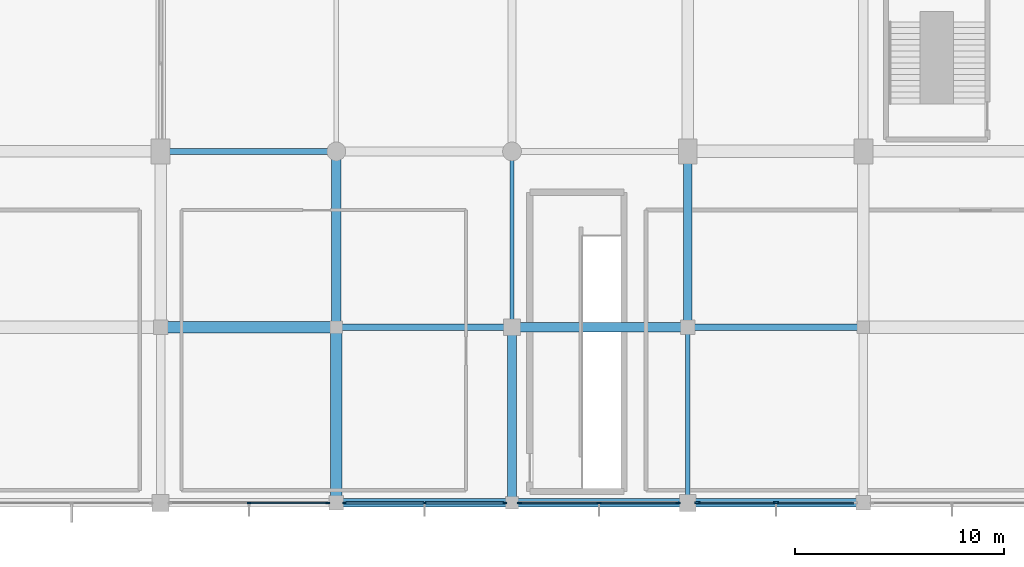
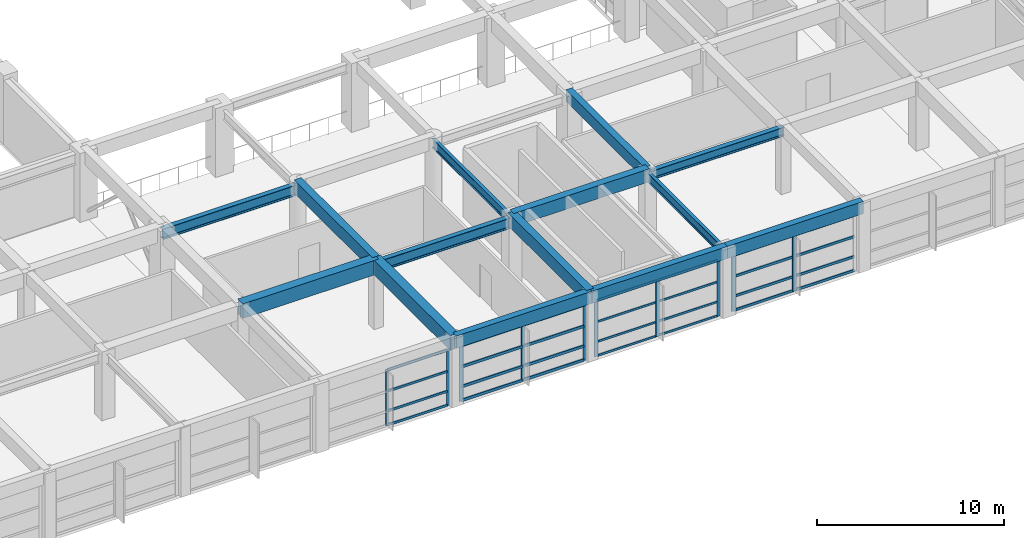
# One storey, part 16 of 56: 38 members, 14 beams, 4 elements without a shape of their own.
"""IFC4 building model written with IfcOpenShell, lengths in metres."""

from ifc_helpers import new_model, si_unit, direction, frame, origin, origin_2d, place, context, subcontext, project, spatial, rectangle, i_section, extrude, material, material_profile, profile_set, type_object, element, aggregate, save


model = new_model("IFC4")

# Units and contexts
model_context = context("Model", 3, precision=1e-05, world=origin(), true_north=direction((0.0, 1.0)))
body_context = subcontext(model_context, "Body", "Model", "MODEL_VIEW")
ifc_project = project(units=[si_unit("LENGTHUNIT", "METRE"), si_unit("AREAUNIT", "SQUARE_METRE"), si_unit("VOLUMEUNIT", "CUBIC_METRE"), si_unit("PLANEANGLEUNIT", "RADIAN"), si_unit("MASSUNIT", "GRAM", prefix="KILO")], contexts=[model_context])

# Site, building, storey
site_placement = place(None, origin())
site = spatial("IfcSite", under=ifc_project, at=site_placement, CompositionType="ELEMENT")
building_placement = place(site_placement, origin())
building = spatial("IfcBuilding", under=site, at=building_placement, Name="Xuanlan Plaza Opera House", CompositionType="ELEMENT")
storey_placement = place(building_placement, frame((0.0, 0.0, 18.89990234375)))
storey = spatial("IfcBuildingStorey", under=building, at=storey_placement, Name="L04", CompositionType="ELEMENT", Elevation=18.89990234375)

# Curtain wall, members
ifc_material_1 = material(Name="Anodised Aluminium 6063-T6 and Low-E Glass", Category="aluminium")
curtain_wall_type_1 = type_object("IfcCurtainWallType", Name="ENV-CW-CW-05", PredefinedType="USERDEFINED", material=ifc_material_1)
curtain_wall_1_placement = place(storey_placement, origin())
curtain_wall_1 = element("IfcCurtainWall", 1, at=curtain_wall_1_placement, inside=storey, type_object=curtain_wall_type_1, Name="Acoustic Glazed Wall L04-006", ObjectType="ACOUSTIC GLAZED WALL", PredefinedType="USERDEFINED")
ifc_material_2 = material(Name="Anodised Aluminium 6063-T6", Category="aluminium")
ifc_material_profile_1 = material_profile(ifc_material_2, rectangle(XDim=0.070068359375, YDim=0.179931640625, at=origin_2d()), Name="ALU-M 70x180")
ifc_profile_set_1 = profile_set([ifc_material_profile_1], Name="Anodised Aluminium 6063-T6")
member_type_1 = type_object("IfcMemberType", Name="ENV-CWM-02", PredefinedType="MULLION", material=ifc_profile_set_1)
member_1_placement = place(storey_placement, frame((71.425048828125, 16.800048828125, 0.0), z_axis=(0.0, 0.0, 1.0), x_axis=(0.0, 1.0, 0.0)))
member_1 = element("IfcMember", 2, at=member_1_placement, type_object=member_type_1, Name="CW-05 mullion 2", PredefinedType="MULLION", context=body_context, shape_type="SweptSolid", body=[
    extrude(rectangle(XDim=0.070068359375, YDim=0.179931640625, at=origin_2d()), origin(), (0.0, 0.0, 1.0), 3.68017578125),
])
member_2_placement = place(storey_placement, frame((75.195068359375, 16.800048828125, 0.0), z_axis=(0.0, 0.0, 1.0), x_axis=(0.0, 1.0, 0.0)))
member_2 = element("IfcMember", 3, at=member_2_placement, type_object=member_type_1, Name="CW-05 mullion 3", PredefinedType="MULLION", context=body_context, shape_type="SweptSolid", body=[
    extrude(rectangle(XDim=0.070068359375, YDim=0.179931640625, at=origin_2d()), origin(), (0.0, 0.0, 1.0), 3.68017578125),
])

curtain_wall_type_2 = type_object("IfcCurtainWallType", Name="ENV-CW-CW-06", PredefinedType="USERDEFINED", material=ifc_material_1)
curtain_wall_2_placement = place(storey_placement, origin())
curtain_wall_2 = element("IfcCurtainWall", 4, at=curtain_wall_2_placement, inside=storey, type_object=curtain_wall_type_2, Name="Acoustic Glazed Wall L04-007", ObjectType="ACOUSTIC GLAZED WALL", PredefinedType="USERDEFINED")
ifc_material_profile_2 = material_profile(ifc_material_2, rectangle(XDim=0.074951171875, YDim=0.199951171875, at=origin_2d()), Name="ALU-M 75x200")
ifc_profile_set_2 = profile_set([ifc_material_profile_2], Name="Anodised Aluminium 6063-T6")
member_type_2 = type_object("IfcMemberType", Name="ENV-CWM-03", PredefinedType="MULLION", material=ifc_profile_set_2)
member_3_placement = place(storey_placement, frame((76.007568359375, 16.800048828125, 0.0), z_axis=(0.0, 0.0, 1.0), x_axis=(0.0, 1.0, 0.0)))
member_3 = element("IfcMember", 5, at=member_3_placement, type_object=member_type_2, Name="CW-06 mullion 1", PredefinedType="MULLION", context=body_context, shape_type="SweptSolid", body=[
    extrude(rectangle(XDim=0.074951171875, YDim=0.199951171875, at=origin_2d()), origin(), (0.0, 0.0, 1.0), 3.68017578125),
])
member_4_placement = place(storey_placement, frame((79.824951171875, 16.800048828125, 0.0), z_axis=(0.0, 0.0, 1.0), x_axis=(0.0, 1.0, 0.0)))
member_4 = element("IfcMember", 6, at=member_4_placement, type_object=member_type_2, Name="CW-06 mullion 2", PredefinedType="MULLION", context=body_context, shape_type="SweptSolid", body=[
    extrude(rectangle(XDim=0.074951171875, YDim=0.199951171875, at=origin_2d()), origin(), (0.0, 0.0, 1.0), 3.68017578125),
])
member_5_placement = place(storey_placement, frame((83.642578125, 16.800048828125, 0.0), z_axis=(0.0, 0.0, 1.0), x_axis=(0.0, 1.0, 0.0)))
member_5 = element("IfcMember", 7, at=member_5_placement, type_object=member_type_2, Name="CW-06 mullion 3", PredefinedType="MULLION", context=body_context, shape_type="SweptSolid", body=[
    extrude(rectangle(XDim=0.074951171875, YDim=0.199951171875, at=origin_2d()), origin(), (0.0, 0.0, 1.0), 3.68017578125),
])

curtain_wall_3_placement = place(storey_placement, origin())
curtain_wall_3 = element("IfcCurtainWall", 8, at=curtain_wall_3_placement, inside=storey, type_object=curtain_wall_type_1, Name="Acoustic Glazed Wall L04-008", ObjectType="ACOUSTIC GLAZED WALL", PredefinedType="USERDEFINED")
ifc_material_profile_3 = material_profile(ifc_material_2, rectangle(XDim=0.080078125, YDim=0.219970703125, at=origin_2d()), Name="ALU-M 80x220")
ifc_profile_set_3 = profile_set([ifc_material_profile_3], Name="Anodised Aluminium 6063-T6")
member_type_3 = type_object("IfcMemberType", Name="ENV-CWM-04", PredefinedType="MULLION", material=ifc_profile_set_3)
member_6_placement = place(storey_placement, frame((84.360107421875, 16.800048828125, 0.0), z_axis=(0.0, 0.0, 1.0), x_axis=(0.0, 1.0, 0.0)))
member_6 = element("IfcMember", 9, at=member_6_placement, type_object=member_type_3, Name="CW-05 mullion 1", PredefinedType="MULLION", context=body_context, shape_type="SweptSolid", body=[
    extrude(rectangle(XDim=0.080078125, YDim=0.219970703125, at=origin_2d()), origin(), (0.0, 0.0, 1.0), 3.68017578125),
])
member_7_placement = place(storey_placement, frame((88.14990234375, 16.800048828125, 0.0), z_axis=(0.0, 0.0, 1.0), x_axis=(0.0, 1.0, 0.0)))
member_7 = element("IfcMember", 10, at=member_7_placement, type_object=member_type_3, Name="CW-05 mullion 2", PredefinedType="MULLION", context=body_context, shape_type="SweptSolid", body=[
    extrude(rectangle(XDim=0.080078125, YDim=0.219970703125, at=origin_2d()), origin(), (0.0, 0.0, 1.0), 3.68017578125),
])
member_8_placement = place(storey_placement, frame((91.93994140625, 16.800048828125, 0.0), z_axis=(0.0, 0.0, 1.0), x_axis=(0.0, 1.0, 0.0)))
member_8 = element("IfcMember", 11, at=member_8_placement, type_object=member_type_3, Name="CW-05 mullion 3", PredefinedType="MULLION", context=body_context, shape_type="SweptSolid", body=[
    extrude(rectangle(XDim=0.080078125, YDim=0.219970703125, at=origin_2d()), origin(), (0.0, 0.0, 1.0), 3.68017578125),
])

curtain_wall_4_placement = place(storey_placement, origin())
curtain_wall_4 = element("IfcCurtainWall", 12, at=curtain_wall_4_placement, inside=storey, type_object=curtain_wall_type_2, Name="Acoustic Glazed Wall L04-009", ObjectType="ACOUSTIC GLAZED WALL", PredefinedType="USERDEFINED")
ifc_material_profile_4 = material_profile(ifc_material_2, rectangle(XDim=0.090087890625, YDim=0.25, at=origin_2d()), Name="ALU-M 90x250")
ifc_profile_set_4 = profile_set([ifc_material_profile_4], Name="Anodised Aluminium 6063-T6")
member_type_4 = type_object("IfcMemberType", Name="ENV-CWM-05", PredefinedType="MULLION", material=ifc_profile_set_4)
member_9_placement = place(storey_placement, frame((92.864990234375, 16.800048828125, 0.0), z_axis=(0.0, 0.0, 1.0), x_axis=(0.0, 1.0, 0.0)))
member_9 = element("IfcMember", 13, at=member_9_placement, type_object=member_type_4, Name="CW-06 mullion 1", PredefinedType="MULLION", context=body_context, shape_type="SweptSolid", body=[
    extrude(rectangle(XDim=0.090087890625, YDim=0.25, at=origin_2d()), origin(), (0.0, 0.0, 1.0), 3.68017578125),
])
member_10_placement = place(storey_placement, frame((96.625, 16.800048828125, 0.0), z_axis=(0.0, 0.0, 1.0), x_axis=(0.0, 1.0, 0.0)))
member_10 = element("IfcMember", 14, at=member_10_placement, type_object=member_type_4, Name="CW-06 mullion 2", PredefinedType="MULLION", context=body_context, shape_type="SweptSolid", body=[
    extrude(rectangle(XDim=0.090087890625, YDim=0.25, at=origin_2d()), origin(), (0.0, 0.0, 1.0), 3.68017578125),
])

# Member
ifc_material_profile_5 = material_profile(ifc_material_2, rectangle(XDim=0.070068359375, YDim=0.135009765625, at=origin_2d()), Name="ALU-T 70x135")
ifc_profile_set_5 = profile_set([ifc_material_profile_5], Name="Anodised Aluminium 6063-T6")
member_type_5 = type_object("IfcMemberType", Name="ENV-CWT-02", PredefinedType="USERDEFINED", material=ifc_profile_set_5)
member_11_placement = place(storey_placement, frame((84.39990234375, 16.800048828125, 0.03515625), z_axis=(1.0, 0.0, 0.0), x_axis=(0.0, 1.0, 0.0)))
member_11 = element("IfcMember", 15, at=member_11_placement, type_object=member_type_5, Name="CW-05 transom 1.1", ObjectType="TRANSOM", PredefinedType="USERDEFINED", context=body_context, shape_type="SweptSolid", body=[
    extrude(rectangle(XDim=0.070068359375, YDim=0.135009765625, at=origin_2d()), origin(), (0.0, 0.0, 1.0), 3.710205078125),
])

member_12_placement = place(storey_placement, frame((84.39990234375, 16.800048828125, 0.9501953125), z_axis=(1.0, 0.0, 0.0), x_axis=(0.0, 1.0, 0.0)))
member_12 = element("IfcMember", 16, at=member_12_placement, type_object=member_type_5, Name="CW-05 transom 1.2", ObjectType="TRANSOM", PredefinedType="USERDEFINED", context=body_context, shape_type="SweptSolid", body=[
    extrude(rectangle(XDim=0.070068359375, YDim=0.135009765625, at=origin_2d()), origin(), (0.0, 0.0, 1.0), 3.710205078125),
])

member_13_placement = place(storey_placement, frame((84.39990234375, 16.800048828125, 2.25), z_axis=(1.0, 0.0, 0.0), x_axis=(0.0, 1.0, 0.0)))
member_13 = element("IfcMember", 17, at=member_13_placement, type_object=member_type_5, Name="CW-05 transom 1.3", ObjectType="TRANSOM", PredefinedType="USERDEFINED", context=body_context, shape_type="SweptSolid", body=[
    extrude(rectangle(XDim=0.070068359375, YDim=0.135009765625, at=origin_2d()), origin(), (0.0, 0.0, 1.0), 3.710205078125),
])

member_14_placement = place(storey_placement, frame((84.39990234375, 16.800048828125, 3.64501953125), z_axis=(1.0, 0.0, 0.0), x_axis=(0.0, 1.0, 0.0)))
member_14 = element("IfcMember", 18, at=member_14_placement, type_object=member_type_5, Name="CW-05 transom 1.4", ObjectType="TRANSOM", PredefinedType="USERDEFINED", context=body_context, shape_type="SweptSolid", body=[
    extrude(rectangle(XDim=0.070068359375, YDim=0.135009765625, at=origin_2d()), origin(), (0.0, 0.0, 1.0), 3.710205078125),
])

member_15_placement = place(storey_placement, frame((88.18994140625, 16.800048828125, 0.03515625), z_axis=(1.0, 0.0, 0.0), x_axis=(0.0, 1.0, 0.0)))
member_15 = element("IfcMember", 19, at=member_15_placement, type_object=member_type_5, Name="CW-05 transom 2.1", ObjectType="TRANSOM", PredefinedType="USERDEFINED", context=body_context, shape_type="SweptSolid", body=[
    extrude(rectangle(XDim=0.070068359375, YDim=0.135009765625, at=origin_2d()), origin(), (0.0, 0.0, 1.0), 3.7099609375),
])

member_16_placement = place(storey_placement, frame((88.18994140625, 16.800048828125, 0.9501953125), z_axis=(1.0, 0.0, 0.0), x_axis=(0.0, 1.0, 0.0)))
member_16 = element("IfcMember", 20, at=member_16_placement, type_object=member_type_5, Name="CW-05 transom 2.2", ObjectType="TRANSOM", PredefinedType="USERDEFINED", context=body_context, shape_type="SweptSolid", body=[
    extrude(rectangle(XDim=0.070068359375, YDim=0.135009765625, at=origin_2d()), origin(), (0.0, 0.0, 1.0), 3.7099609375),
])

member_17_placement = place(storey_placement, frame((88.18994140625, 16.800048828125, 2.25), z_axis=(1.0, 0.0, 0.0), x_axis=(0.0, 1.0, 0.0)))
member_17 = element("IfcMember", 21, at=member_17_placement, type_object=member_type_5, Name="CW-05 transom 2.3", ObjectType="TRANSOM", PredefinedType="USERDEFINED", context=body_context, shape_type="SweptSolid", body=[
    extrude(rectangle(XDim=0.070068359375, YDim=0.135009765625, at=origin_2d()), origin(), (0.0, 0.0, 1.0), 3.7099609375),
])

member_18_placement = place(storey_placement, frame((88.18994140625, 16.800048828125, 3.64501953125), z_axis=(1.0, 0.0, 0.0), x_axis=(0.0, 1.0, 0.0)))
member_18 = element("IfcMember", 22, at=member_18_placement, type_object=member_type_5, Name="CW-05 transom 2.4", ObjectType="TRANSOM", PredefinedType="USERDEFINED", context=body_context, shape_type="SweptSolid", body=[
    extrude(rectangle(XDim=0.070068359375, YDim=0.135009765625, at=origin_2d()), origin(), (0.0, 0.0, 1.0), 3.7099609375),
])

aggregate(curtain_wall_3, [member_6, member_7, member_8, member_11, member_12, member_13, member_14, member_15, member_16, member_17, member_18])

ifc_material_profile_6 = material_profile(ifc_material_2, rectangle(XDim=0.074951171875, YDim=0.14990234375, at=origin_2d()), Name="ALU-T 75x150")
ifc_profile_set_6 = profile_set([ifc_material_profile_6], Name="Anodised Aluminium 6063-T6")
member_type_6 = type_object("IfcMemberType", Name="ENV-CWT-03", PredefinedType="USERDEFINED", material=ifc_profile_set_6)
member_19_placement = place(storey_placement, frame((71.4599609375, 16.800048828125, 0.03759765625), z_axis=(1.0, 0.0, 0.0), x_axis=(0.0, 1.0, 0.0)))
member_19 = element("IfcMember", 23, at=member_19_placement, type_object=member_type_6, Name="CW-05 transom 2.1", ObjectType="TRANSOM", PredefinedType="USERDEFINED", context=body_context, shape_type="SweptSolid", body=[
    extrude(rectangle(XDim=0.074951171875, YDim=0.14990234375, at=origin_2d()), origin(), (0.0, 0.0, 1.0), 3.699951171875),
])

member_20_placement = place(storey_placement, frame((71.4599609375, 16.800048828125, 0.9501953125), z_axis=(1.0, 0.0, 0.0), x_axis=(0.0, 1.0, 0.0)))
member_20 = element("IfcMember", 24, at=member_20_placement, type_object=member_type_6, Name="CW-05 transom 2.2", ObjectType="TRANSOM", PredefinedType="USERDEFINED", context=body_context, shape_type="SweptSolid", body=[
    extrude(rectangle(XDim=0.074951171875, YDim=0.14990234375, at=origin_2d()), origin(), (0.0, 0.0, 1.0), 3.699951171875),
])

member_21_placement = place(storey_placement, frame((71.4599609375, 16.800048828125, 2.25), z_axis=(1.0, 0.0, 0.0), x_axis=(0.0, 1.0, 0.0)))
member_21 = element("IfcMember", 25, at=member_21_placement, type_object=member_type_6, Name="CW-05 transom 2.3", ObjectType="TRANSOM", PredefinedType="USERDEFINED", context=body_context, shape_type="SweptSolid", body=[
    extrude(rectangle(XDim=0.074951171875, YDim=0.14990234375, at=origin_2d()), origin(), (0.0, 0.0, 1.0), 3.699951171875),
])

member_22_placement = place(storey_placement, frame((71.4599609375, 16.800048828125, 3.642578125), z_axis=(1.0, 0.0, 0.0), x_axis=(0.0, 1.0, 0.0)))
member_22 = element("IfcMember", 26, at=member_22_placement, type_object=member_type_6, Name="CW-05 transom 2.4", ObjectType="TRANSOM", PredefinedType="USERDEFINED", context=body_context, shape_type="SweptSolid", body=[
    extrude(rectangle(XDim=0.074951171875, YDim=0.14990234375, at=origin_2d()), origin(), (0.0, 0.0, 1.0), 3.699951171875),
])

aggregate(curtain_wall_1, [member_1, member_2, member_19, member_20, member_21, member_22])

ifc_material_profile_7 = material_profile(ifc_material_2, rectangle(XDim=0.080078125, YDim=0.1650390625, at=origin_2d()), Name="ALU-T 80x165")
ifc_profile_set_7 = profile_set([ifc_material_profile_7], Name="Anodised Aluminium 6063-T6")
member_type_7 = type_object("IfcMemberType", Name="ENV-CWT-04", PredefinedType="USERDEFINED", material=ifc_profile_set_7)
member_23_placement = place(storey_placement, frame((92.909912109375, 16.800048828125, 0.0400390625), z_axis=(1.0, 0.0, 0.0), x_axis=(0.0, 1.0, 0.0)))
member_23 = element("IfcMember", 27, at=member_23_placement, type_object=member_type_7, Name="CW-06 transom 1.1", ObjectType="TRANSOM", PredefinedType="USERDEFINED", context=body_context, shape_type="SweptSolid", body=[
    extrude(rectangle(XDim=0.080078125, YDim=0.1650390625, at=origin_2d()), origin(), (0.0, 0.0, 1.0), 3.670166015625),
])

member_24_placement = place(storey_placement, frame((92.909912109375, 16.800048828125, 0.9501953125), z_axis=(1.0, 0.0, 0.0), x_axis=(0.0, 1.0, 0.0)))
member_24 = element("IfcMember", 28, at=member_24_placement, type_object=member_type_7, Name="CW-06 transom 1.2", ObjectType="TRANSOM", PredefinedType="USERDEFINED", context=body_context, shape_type="SweptSolid", body=[
    extrude(rectangle(XDim=0.080078125, YDim=0.1650390625, at=origin_2d()), origin(), (0.0, 0.0, 1.0), 3.670166015625),
])

member_25_placement = place(storey_placement, frame((92.909912109375, 16.800048828125, 2.25), z_axis=(1.0, 0.0, 0.0), x_axis=(0.0, 1.0, 0.0)))
member_25 = element("IfcMember", 29, at=member_25_placement, type_object=member_type_7, Name="CW-06 transom 1.3", ObjectType="TRANSOM", PredefinedType="USERDEFINED", context=body_context, shape_type="SweptSolid", body=[
    extrude(rectangle(XDim=0.080078125, YDim=0.1650390625, at=origin_2d()), origin(), (0.0, 0.0, 1.0), 3.670166015625),
])

member_26_placement = place(storey_placement, frame((92.909912109375, 16.800048828125, 3.64013671875), z_axis=(1.0, 0.0, 0.0), x_axis=(0.0, 1.0, 0.0)))
member_26 = element("IfcMember", 30, at=member_26_placement, type_object=member_type_7, Name="CW-06 transom 1.4", ObjectType="TRANSOM", PredefinedType="USERDEFINED", context=body_context, shape_type="SweptSolid", body=[
    extrude(rectangle(XDim=0.080078125, YDim=0.1650390625, at=origin_2d()), origin(), (0.0, 0.0, 1.0), 3.670166015625),
])

member_27_placement = place(storey_placement, frame((96.669921875, 16.800048828125, 0.0400390625), z_axis=(1.0, 0.0, 0.0), x_axis=(0.0, 1.0, 0.0)))
member_27 = element("IfcMember", 31, at=member_27_placement, type_object=member_type_7, Name="CW-06 transom 2.1", ObjectType="TRANSOM", PredefinedType="USERDEFINED", context=body_context, shape_type="SweptSolid", body=[
    extrude(rectangle(XDim=0.080078125, YDim=0.1650390625, at=origin_2d()), origin(), (0.0, 0.0, 1.0), 3.670166015625),
])

member_28_placement = place(storey_placement, frame((96.669921875, 16.800048828125, 0.9501953125), z_axis=(1.0, 0.0, 0.0), x_axis=(0.0, 1.0, 0.0)))
member_28 = element("IfcMember", 32, at=member_28_placement, type_object=member_type_7, Name="CW-06 transom 2.2", ObjectType="TRANSOM", PredefinedType="USERDEFINED", context=body_context, shape_type="SweptSolid", body=[
    extrude(rectangle(XDim=0.080078125, YDim=0.1650390625, at=origin_2d()), origin(), (0.0, 0.0, 1.0), 3.670166015625),
])

member_29_placement = place(storey_placement, frame((96.669921875, 16.800048828125, 2.25), z_axis=(1.0, 0.0, 0.0), x_axis=(0.0, 1.0, 0.0)))
member_29 = element("IfcMember", 33, at=member_29_placement, type_object=member_type_7, Name="CW-06 transom 2.3", ObjectType="TRANSOM", PredefinedType="USERDEFINED", context=body_context, shape_type="SweptSolid", body=[
    extrude(rectangle(XDim=0.080078125, YDim=0.1650390625, at=origin_2d()), origin(), (0.0, 0.0, 1.0), 3.670166015625),
])

member_30_placement = place(storey_placement, frame((96.669921875, 16.800048828125, 3.64013671875), z_axis=(1.0, 0.0, 0.0), x_axis=(0.0, 1.0, 0.0)))
member_30 = element("IfcMember", 34, at=member_30_placement, type_object=member_type_7, Name="CW-06 transom 2.4", ObjectType="TRANSOM", PredefinedType="USERDEFINED", context=body_context, shape_type="SweptSolid", body=[
    extrude(rectangle(XDim=0.080078125, YDim=0.1650390625, at=origin_2d()), origin(), (0.0, 0.0, 1.0), 3.670166015625),
])

aggregate(curtain_wall_4, [member_9, member_10, member_23, member_24, member_25, member_26, member_27, member_28, member_29, member_30])

ifc_material_profile_8 = material_profile(ifc_material_2, rectangle(XDim=0.090087890625, YDim=0.179931640625, at=origin_2d()), Name="ALU-T 90x180")
ifc_profile_set_8 = profile_set([ifc_material_profile_8], Name="Anodised Aluminium 6063-T6")
member_type_8 = type_object("IfcMemberType", Name="ENV-CWT-05", PredefinedType="USERDEFINED", material=ifc_profile_set_8)
member_31_placement = place(storey_placement, frame((76.044921875, 16.800048828125, 0.045166015625), z_axis=(1.0, 0.0, 0.0), x_axis=(0.0, 1.0, 0.0)))
member_31 = element("IfcMember", 35, at=member_31_placement, type_object=member_type_8, Name="CW-06 transom 1.1", ObjectType="TRANSOM", PredefinedType="USERDEFINED", context=body_context, shape_type="SweptSolid", body=[
    extrude(rectangle(XDim=0.090087890625, YDim=0.179931640625, at=origin_2d()), origin(), (0.0, 0.0, 1.0), 3.74267578125),
])

member_32_placement = place(storey_placement, frame((76.044921875, 16.800048828125, 0.9501953125), z_axis=(1.0, 0.0, 0.0), x_axis=(0.0, 1.0, 0.0)))
member_32 = element("IfcMember", 36, at=member_32_placement, type_object=member_type_8, Name="CW-06 transom 1.2", ObjectType="TRANSOM", PredefinedType="USERDEFINED", context=body_context, shape_type="SweptSolid", body=[
    extrude(rectangle(XDim=0.090087890625, YDim=0.179931640625, at=origin_2d()), origin(), (0.0, 0.0, 1.0), 3.74267578125),
])

member_33_placement = place(storey_placement, frame((76.044921875, 16.800048828125, 2.25), z_axis=(1.0, 0.0, 0.0), x_axis=(0.0, 1.0, 0.0)))
member_33 = element("IfcMember", 37, at=member_33_placement, type_object=member_type_8, Name="CW-06 transom 1.3", ObjectType="TRANSOM", PredefinedType="USERDEFINED", context=body_context, shape_type="SweptSolid", body=[
    extrude(rectangle(XDim=0.090087890625, YDim=0.179931640625, at=origin_2d()), origin(), (0.0, 0.0, 1.0), 3.74267578125),
])

member_34_placement = place(storey_placement, frame((76.044921875, 16.800048828125, 3.635009765625), z_axis=(1.0, 0.0, 0.0), x_axis=(0.0, 1.0, 0.0)))
member_34 = element("IfcMember", 38, at=member_34_placement, type_object=member_type_8, Name="CW-06 transom 1.4", ObjectType="TRANSOM", PredefinedType="USERDEFINED", context=body_context, shape_type="SweptSolid", body=[
    extrude(rectangle(XDim=0.090087890625, YDim=0.179931640625, at=origin_2d()), origin(), (0.0, 0.0, 1.0), 3.74267578125),
])

member_35_placement = place(storey_placement, frame((79.862548828125, 16.800048828125, 0.045166015625), z_axis=(1.0, 0.0, 0.0), x_axis=(0.0, 1.0, 0.0)))
member_35 = element("IfcMember", 39, at=member_35_placement, type_object=member_type_8, Name="CW-06 transom 2.1", ObjectType="TRANSOM", PredefinedType="USERDEFINED", context=body_context, shape_type="SweptSolid", body=[
    extrude(rectangle(XDim=0.090087890625, YDim=0.179931640625, at=origin_2d()), origin(), (0.0, 0.0, 1.0), 3.742431640625),
])

member_36_placement = place(storey_placement, frame((79.862548828125, 16.800048828125, 0.9501953125), z_axis=(1.0, 0.0, 0.0), x_axis=(0.0, 1.0, 0.0)))
member_36 = element("IfcMember", 40, at=member_36_placement, type_object=member_type_8, Name="CW-06 transom 2.2", ObjectType="TRANSOM", PredefinedType="USERDEFINED", context=body_context, shape_type="SweptSolid", body=[
    extrude(rectangle(XDim=0.090087890625, YDim=0.179931640625, at=origin_2d()), origin(), (0.0, 0.0, 1.0), 3.742431640625),
])

member_37_placement = place(storey_placement, frame((79.862548828125, 16.800048828125, 2.25), z_axis=(1.0, 0.0, 0.0), x_axis=(0.0, 1.0, 0.0)))
member_37 = element("IfcMember", 41, at=member_37_placement, type_object=member_type_8, Name="CW-06 transom 2.3", ObjectType="TRANSOM", PredefinedType="USERDEFINED", context=body_context, shape_type="SweptSolid", body=[
    extrude(rectangle(XDim=0.090087890625, YDim=0.179931640625, at=origin_2d()), origin(), (0.0, 0.0, 1.0), 3.742431640625),
])

member_38_placement = place(storey_placement, frame((79.862548828125, 16.800048828125, 3.635009765625), z_axis=(1.0, 0.0, 0.0), x_axis=(0.0, 1.0, 0.0)))
member_38 = element("IfcMember", 42, at=member_38_placement, type_object=member_type_8, Name="CW-06 transom 2.4", ObjectType="TRANSOM", PredefinedType="USERDEFINED", context=body_context, shape_type="SweptSolid", body=[
    extrude(rectangle(XDim=0.090087890625, YDim=0.179931640625, at=origin_2d()), origin(), (0.0, 0.0, 1.0), 3.742431640625),
])

aggregate(curtain_wall_2, [member_3, member_4, member_5, member_31, member_32, member_33, member_34, member_35, member_36, member_37, member_38])

# Beams
ifc_material_3 = material(Name="Concrete C50", Category="concrete")
ifc_material_profile_9 = material_profile(ifc_material_3, rectangle(XDim=0.550048828125, YDim=0.949951171875, at=origin_2d()), Name="RC-BM 550x950")
ifc_profile_set_9 = profile_set([ifc_material_profile_9], Name="Concrete C50")
beam_type_1 = type_object("IfcBeamType", Name="STR-BM-B-02", PredefinedType="BEAM", material=ifc_profile_set_9)
beam_1_placement = place(storey_placement, frame((67.199951171875, 25.199951171875, 4.025146484375), z_axis=(1.0, 0.0, 0.0), x_axis=(0.0, 1.0, 0.0)))
element("IfcBeam", 43, at=beam_1_placement, inside=storey, type_object=beam_type_1, Name="Grid Beam X L04 9-10/D", PredefinedType="BEAM", context=body_context, shape_type="SweptSolid", body=[
    extrude(rectangle(XDim=0.550048828125, YDim=0.949951171875, at=origin_2d()), origin(), (0.0, 0.0, 1.0), 8.400146484375),
])
beam_2_placement = place(storey_placement, frame((75.60009765625, 16.800048828125, 4.025146484375), z_axis=(0.0, 1.0, 0.0), x_axis=(-1.0, 0.0, 0.0)))
element("IfcBeam", 44, at=beam_2_placement, inside=storey, type_object=beam_type_1, Name="Grid Beam Y L04 10/C-D", PredefinedType="BEAM", context=body_context, shape_type="SweptSolid", body=[
    extrude(rectangle(XDim=0.550048828125, YDim=0.949951171875, at=origin_2d()), origin(), (0.0, 0.0, 1.0), 8.39990234375),
])
ifc_material_4 = material(Name="Concrete C40", Category="concrete")
ifc_material_profile_10 = material_profile(ifc_material_4, rectangle(XDim=0.449951171875, YDim=0.85009765625, at=origin_2d()), Name="RC-BM 450x850")
ifc_profile_set_10 = profile_set([ifc_material_profile_10], Name="Concrete C40")
beam_type_2 = type_object("IfcBeamType", Name="STR-BM-B-04", PredefinedType="BEAM", material=ifc_profile_set_10)
beam_3_placement = place(storey_placement, frame((84.0, 25.199951171875, 4.0751953125), z_axis=(1.0, 0.0, 0.0), x_axis=(0.0, 1.0, 0.0)))
element("IfcBeam", 45, at=beam_3_placement, inside=storey, type_object=beam_type_2, Name="Grid Beam X L04 11-12/D", PredefinedType="BEAM", context=body_context, shape_type="SweptSolid", body=[
    extrude(rectangle(XDim=0.449951171875, YDim=0.85009765625, at=origin_2d()), origin(), (0.0, 0.0, 1.0), 8.39990234375),
])
beam_4_placement = place(storey_placement, frame((75.60009765625, 25.199951171875, 4.0751953125), z_axis=(0.0, 1.0, 0.0), x_axis=(-1.0, 0.0, 0.0)))
element("IfcBeam", 46, at=beam_4_placement, inside=storey, type_object=beam_type_2, Name="Grid Beam Y L04 10/D-E", PredefinedType="BEAM", context=body_context, shape_type="SweptSolid", body=[
    extrude(rectangle(XDim=0.449951171875, YDim=0.85009765625, at=origin_2d()), origin(), (0.0, 0.0, 1.0), 8.400146484375),
])
beam_5_placement = place(storey_placement, frame((84.0, 16.800048828125, 4.0751953125), z_axis=(0.0, 1.0, 0.0), x_axis=(-1.0, 0.0, 0.0)))
element("IfcBeam", 47, at=beam_5_placement, inside=storey, type_object=beam_type_2, Name="Grid Beam Y L04 11/C-D", PredefinedType="BEAM", context=body_context, shape_type="SweptSolid", body=[
    extrude(rectangle(XDim=0.449951171875, YDim=0.85009765625, at=origin_2d()), origin(), (0.0, 0.0, 1.0), 8.39990234375),
])
ifc_material_profile_11 = material_profile(ifc_material_4, rectangle(XDim=0.39990234375, YDim=0.75, at=origin_2d()), Name="RC-BM 400x750")
ifc_profile_set_11 = profile_set([ifc_material_profile_11], Name="Concrete C40")
beam_type_3 = type_object("IfcBeamType", Name="STR-BM-B-06", PredefinedType="BEAM", material=ifc_profile_set_11)
beam_6_placement = place(storey_placement, frame((92.39990234375, 25.199951171875, 4.125), z_axis=(0.0, 1.0, 0.0), x_axis=(-1.0, 0.0, 0.0)))
element("IfcBeam", 48, at=beam_6_placement, inside=storey, type_object=beam_type_3, Name="Grid Beam Y L04 12/D-E", PredefinedType="BEAM", context=body_context, shape_type="SweptSolid", body=[
    extrude(rectangle(XDim=0.39990234375, YDim=0.75, at=origin_2d()), origin(), (0.0, 0.0, 1.0), 8.400146484375),
])
ifc_material_5 = material(Name="Steel Q355B", Category="steel")
ifc_material_profile_12 = material_profile(ifc_material_5, i_section(OverallWidth=0.300048828125, OverallDepth=0.699951171875, WebThickness=0.012939453125, FlangeThickness=0.02392578125, FilletRadius=0.02392578125, at=origin_2d()), Name="HN 700x300x13x24")
ifc_profile_set_12 = profile_set([ifc_material_profile_12], Name="Steel Q355B")
beam_type_4 = type_object("IfcBeamType", Name="STR-BM-SB-03", PredefinedType="BEAM", material=ifc_profile_set_12)
beam_7_placement = place(storey_placement, frame((75.60009765625, 25.199951171875, 3.885009765625), z_axis=(1.0, 0.0, 0.0), x_axis=(0.0, 1.0, 0.0)))
element("IfcBeam", 49, at=beam_7_placement, inside=storey, type_object=beam_type_4, Name="Grid Beam X L04 10-11/D", PredefinedType="BEAM", context=body_context, shape_type="SweptSolid", body=[
    extrude(i_section(OverallWidth=0.300048828125, OverallDepth=0.699951171875, WebThickness=0.012939453125, FlangeThickness=0.02392578125, FilletRadius=0.02392578125, at=origin_2d()), origin(), (0.0, 0.0, 1.0), 8.39990234375),
])
beam_8_placement = place(storey_placement, frame((67.199951171875, 33.60009765625, 3.885009765625), z_axis=(1.0, 0.0, 0.0), x_axis=(0.0, 1.0, 0.0)))
element("IfcBeam", 50, at=beam_8_placement, inside=storey, type_object=beam_type_4, Name="Grid Beam X L04 9-10/E", PredefinedType="BEAM", context=body_context, shape_type="SweptSolid", body=[
    extrude(i_section(OverallWidth=0.300048828125, OverallDepth=0.699951171875, WebThickness=0.012939453125, FlangeThickness=0.02392578125, FilletRadius=0.02392578125, at=origin_2d()), origin(), (0.0, 0.0, 1.0), 8.400146484375),
])
ifc_material_profile_13 = material_profile(ifc_material_5, i_section(OverallWidth=0.199951171875, OverallDepth=0.60009765625, WebThickness=0.010986328125, FlangeThickness=0.01708984375, FilletRadius=0.02197265625, at=origin_2d()), Name="HN 600x200x11x17")
ifc_profile_set_13 = profile_set([ifc_material_profile_13], Name="Steel Q355B")
beam_type_5 = type_object("IfcBeamType", Name="STR-BM-SB-04", PredefinedType="BEAM", material=ifc_profile_set_13)
beam_9_placement = place(storey_placement, frame((84.0, 25.199951171875, 3.93505859375), z_axis=(0.0, 1.0, 0.0), x_axis=(-1.0, 0.0, 0.0)))
element("IfcBeam", 51, at=beam_9_placement, inside=storey, type_object=beam_type_5, Name="Grid Beam Y L04 11/D-E", PredefinedType="BEAM", context=body_context, shape_type="SweptSolid", body=[
    extrude(i_section(OverallWidth=0.199951171875, OverallDepth=0.60009765625, WebThickness=0.010986328125, FlangeThickness=0.01708984375, FilletRadius=0.02197265625, at=origin_2d()), origin(), (0.0, 0.0, 1.0), 8.400146484375),
])
beam_10_placement = place(storey_placement, frame((92.39990234375, 16.800048828125, 3.93505859375), z_axis=(0.0, 1.0, 0.0), x_axis=(-1.0, 0.0, 0.0)))
element("IfcBeam", 52, at=beam_10_placement, inside=storey, type_object=beam_type_5, Name="Grid Beam Y L04 12/C-D", PredefinedType="BEAM", context=body_context, shape_type="SweptSolid", body=[
    extrude(i_section(OverallWidth=0.199951171875, OverallDepth=0.60009765625, WebThickness=0.010986328125, FlangeThickness=0.01708984375, FilletRadius=0.02197265625, at=origin_2d()), origin(), (0.0, 0.0, 1.0), 8.39990234375),
])
ifc_material_profile_14 = material_profile(ifc_material_5, i_section(OverallWidth=0.300048828125, OverallDepth=0.587890625, WebThickness=0.011962890625, FlangeThickness=0.02001953125, FilletRadius=0.02392578125, at=origin_2d()), Name="HM 588x300x12x20")
ifc_profile_set_14 = profile_set([ifc_material_profile_14], Name="Steel Q355B")
beam_type_6 = type_object("IfcBeamType", Name="STR-BM-SB-06", PredefinedType="BEAM", material=ifc_profile_set_14)
beam_11_placement = place(storey_placement, frame((92.39990234375, 25.199951171875, 3.941162109375), z_axis=(1.0, 0.0, 0.0), x_axis=(0.0, 1.0, 0.0)))
element("IfcBeam", 53, at=beam_11_placement, inside=storey, type_object=beam_type_6, Name="Grid Beam X L04 12-13/D", PredefinedType="BEAM", context=body_context, shape_type="SweptSolid", body=[
    extrude(i_section(OverallWidth=0.300048828125, OverallDepth=0.587890625, WebThickness=0.011962890625, FlangeThickness=0.02001953125, FilletRadius=0.02392578125, at=origin_2d()), origin(), (0.0, 0.0, 1.0), 8.400146484375),
])
ifc_material_profile_15 = material_profile(ifc_material_4, rectangle(XDim=0.39990234375, YDim=0.800048828125, at=origin_2d()), Name="RC-SPD 400x800")
ifc_profile_set_15 = profile_set([ifc_material_profile_15], Name="Concrete C40")
beam_type_7 = type_object("IfcBeamType", Name="STR-BM-SP-01", PredefinedType="SPANDREL", material=ifc_profile_set_15)
for number, where, z_axis, x_axis, name in (
    (54, (75.60009765625, 16.800048828125, 4.10009765625), (1.0, 0.0, 0.0), (0.0, 1.0, 0.0), "Grid Beam X L04 10-11/C"),
    (55, (84.0, 16.800048828125, 4.10009765625), (1.0, 0.0, 0.0), (0.0, 1.0, 0.0), "Grid Beam X L04 11-12/C"),
):
    element("IfcBeam", number, at=place(storey_placement, frame(where, z_axis=z_axis, x_axis=x_axis)), inside=storey, type_object=beam_type_7, Name=name, PredefinedType="SPANDREL", context=body_context, shape_type="SweptSolid", body=[
        extrude(rectangle(XDim=0.39990234375, YDim=0.800048828125, at=origin_2d()), origin(), (0.0, 0.0, 1.0), 8.39990234375),
    ])
beam_12_placement = place(storey_placement, frame((92.39990234375, 16.800048828125, 4.10009765625), z_axis=(1.0, 0.0, 0.0), x_axis=(0.0, 1.0, 0.0)))
element("IfcBeam", 56, at=beam_12_placement, inside=storey, type_object=beam_type_7, Name="Grid Beam X L04 12-13/C", PredefinedType="SPANDREL", context=body_context, shape_type="SweptSolid", body=[
    extrude(rectangle(XDim=0.39990234375, YDim=0.800048828125, at=origin_2d()), origin(), (0.0, 0.0, 1.0), 8.400146484375),
])

save(model, "model.ifc")
